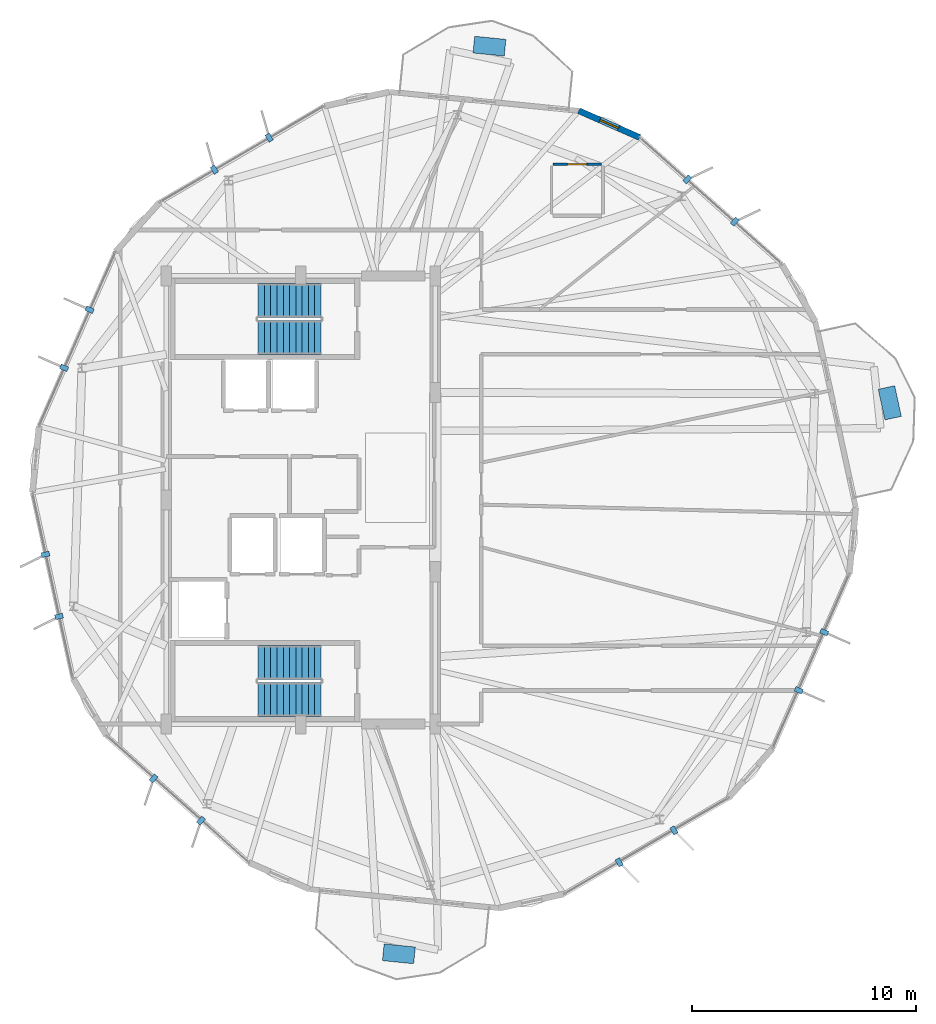
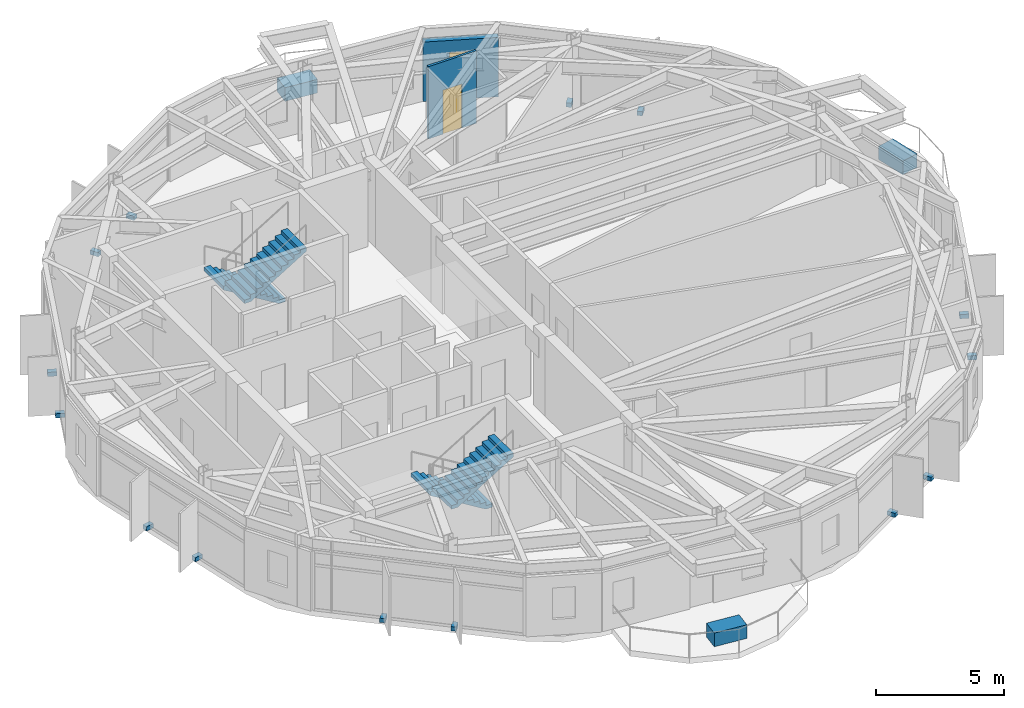
# One storey, part 22 of 25: 17 discrete accessories, 4 stair flights, 2 walls, 1 door, 1 window, 2 openings, 2 elements without a shape of their own.
"""IFC4 building model written with IfcOpenShell, lengths in metres."""

from ifc_helpers import new_model, si_unit, direction, frame, frame_2d, origin, origin_2d, place, context, subcontext, project, spatial, polyline, rectangle, outline, extrude, material, layer, layer_set, type_object, element, fill, aggregate, save


model = new_model("IFC4")

# Units and contexts
model_context = context("Model", 3, precision=1e-05, world=origin(), true_north=direction((0.0, 1.0)))
body_context = subcontext(model_context, "Body", "Model", "MODEL_VIEW")
ifc_project = project(units=[si_unit("LENGTHUNIT", "METRE"), si_unit("AREAUNIT", "SQUARE_METRE"), si_unit("VOLUMEUNIT", "CUBIC_METRE"), si_unit("PLANEANGLEUNIT", "RADIAN"), si_unit("MASSUNIT", "GRAM", prefix="KILO")], contexts=[model_context])

# Site, building, storey
site_placement = place(None, origin())
site = spatial("IfcSite", under=ifc_project, at=site_placement, CompositionType="ELEMENT")
building_placement = place(site_placement, origin())
building = spatial("IfcBuilding", under=site, at=building_placement, Name="Soratama Intermodal Tower", CompositionType="ELEMENT")
storey_placement = place(building_placement, frame((0.0, 0.0, 276.25)))
storey = spatial("IfcBuildingStorey", under=building, at=storey_placement, Name="L70", CompositionType="ELEMENT", Elevation=276.25)

# Wall, opening, window
ifc_material_1 = material(Name="Concrete f'c 42 MPa", Category="concrete")
ifc_layer_1 = layer(ifc_material_1, 0.27001953125)
ifc_layer_set_1 = layer_set([ifc_layer_1], Name="Concrete f'c 42 MPa")
wall_type_1 = type_object("IfcWallType", Name="EW-CRN-270", PredefinedType="SOLIDWALL", material=ifc_layer_set_1)
wall_1_placement = place(storey_placement, frame((53.72119140625, 41.177001953125, 0.0), z_axis=(0.0, 0.0, 1.0), x_axis=(-0.915675056673, 0.401919383193, 0.0)))
wall_1 = element("IfcWall", 1, at=wall_1_placement, inside=storey, type_object=wall_type_1, Name="L70 Corner Closure Wall 10", PredefinedType="SOLIDWALL", context=body_context, shape_type="SweptSolid", body=[
    extrude(rectangle(XDim=2.966796875, YDim=0.27001953125, at=frame_2d((1.4833984375, 0.0))), origin(), (0.0, 0.0, 1.0), 2.8291015625),
])
opening_1_placement = place(wall_1_placement, frame((1.033203125, 0.0, 0.75)))
opening_1 = element("IfcOpeningElement", 2, at=opening_1_placement, cuts=wall_1, Name="Opening WN-6", PredefinedType="OPENING", context=body_context, shape_type="SweptSolid", body=[
    extrude(rectangle(XDim=0.89990234375, YDim=1.5, at=frame_2d((0.449951171875, 0.75))), frame((0.0, 0.14501953125, 0.0), z_axis=(0.0, -1.0, 0.0), x_axis=(1.0, 0.0, 0.0)), (0.0, 0.0, 1.0), 0.2900390625),
])
ifc_material_2 = material(Name="Double-glazed aluminium window", Category="aluminium")
window_type = type_object("IfcWindowType", Name="WN-FAC-900", PartitioningType="SINGLE_PANEL", PredefinedType="WINDOW", material=ifc_material_2)
window_placement = place(opening_1_placement, origin())
window = element("IfcWindow", 3, at=window_placement, inside=storey, type_object=window_type, Name="L70 Corner Window 10", OverallHeight=1.5, OverallWidth=0.89990234375, PartitioningType="SINGLE_PANEL", PredefinedType="WINDOW", context=body_context, shape_type="SweptSolid", body=[
    extrude(rectangle(XDim=0.89990234375, YDim=1.5, at=frame_2d((0.449951171875, 0.75))), frame((0.0, 0.030029296875, 0.0), z_axis=(0.0, -1.0, 0.0), x_axis=(1.0, 0.0, 0.0)), (0.0, 0.0, 1.0), 0.06005859375),
])
fill(opening_1, window)

# Wall, opening, door
ifc_material_3 = material(Name="Fire-rated gypsum stud partition", Category="concrete")
ifc_layer_2 = layer(ifc_material_3, 0.110107421875)
ifc_layer_set_2 = layer_set([ifc_layer_2], Name="Fire-rated gypsum stud partition")
wall_type_2 = type_object("IfcWallType", Name="IW-PART-S110", PredefinedType="PARTITIONING", material=ifc_layer_set_2)
wall_2_placement = place(storey_placement, frame((52.012939453125, 39.98193359375, 0.0), z_axis=(0.0, 0.0, 1.0), x_axis=(-1.0, 0.0, 0.0)))
wall_2 = element("IfcWall", 4, at=wall_2_placement, inside=storey, type_object=wall_type_2, Name="L70 Partition W-L70-TP025", PredefinedType="PARTITIONING", context=body_context, shape_type="SweptSolid", body=[
    extrude(rectangle(XDim=2.159912109375, YDim=0.110107421875, at=frame_2d((1.080078125, 0.0))), origin(), (0.0, 0.0, 1.0), 3.449951171875),
])
opening_2_placement = place(wall_2_placement, frame((0.655029296875, 0.0, 0.0)))
opening_2 = element("IfcOpeningElement", 5, at=opening_2_placement, cuts=wall_2, Name="Opening ID-4", PredefinedType="OPENING", context=body_context, shape_type="SweptSolid", body=[
    extrude(rectangle(XDim=0.85009765625, YDim=2.10009765625, at=frame_2d((0.425048828125, 1.050048828125))), frame((0.0, 0.06494140625, 0.0), z_axis=(0.0, -1.0, 0.0), x_axis=(1.0, 0.0, 0.0)), (0.0, 0.0, 1.0), 0.130126953125),
])
ifc_material_4 = material(Name="Solid hardwood acoustic door", Category="wood")
door_type = type_object("IfcDoorType", Name="DR-BATH-850", OperationType="NOTDEFINED", PredefinedType="DOOR", material=ifc_material_4)
door_placement = place(opening_2_placement, origin())
door = element("IfcDoor", 6, at=door_placement, inside=storey, type_object=door_type, Name="L70 Door D-L70-TP012", OperationType="SINGLE_SWING_LEFT", OverallHeight=2.10009765625, OverallWidth=0.85009765625, PredefinedType="DOOR", context=body_context, shape_type="SweptSolid", body=[
    extrude(rectangle(XDim=0.85009765625, YDim=2.10009765625, at=frame_2d((0.425048828125, 1.050048828125))), frame((0.0, 0.02490234375, 0.0), z_axis=(0.0, -1.0, 0.0), x_axis=(1.0, 0.0, 0.0)), (0.0, 0.0, 1.0), 0.050048828125),
])
fill(opening_2, door)

# Stair, stair flights
ifc_material_5 = material(Name="Concrete f'c 42 MPa", Category="concrete")
stair_type = type_object("IfcStairType", Name="ST-CORE-DOGLEG", PredefinedType="HALF_TURN_STAIR", material=ifc_material_5)
stair_1_placement = place(storey_placement, origin())
stair_1 = element("IfcStair", 7, at=stair_1_placement, inside=storey, type_object=stair_type, Name="L70 ST-1", PredefinedType="HALF_TURN_STAIR")
ifc_material_6 = material(Name="Precast concrete f'c 40 MPa", Category="concrete")
ifc_layer_3 = layer(ifc_material_6, 0.199951171875)
ifc_layer_set_3 = layer_set([ifc_layer_3], Name="Precast concrete f'c 40 MPa")
stair_flight_type = type_object("IfcStairFlightType", Name="SF-FLIGHT-RC", PredefinedType="STRAIGHT", material=ifc_layer_set_3)
stair_flight_1_placement = place(storey_placement, frame((39.5, 17.75, 0.0), z_axis=(0.0, 0.0, 1.0), x_axis=(-1.0, 0.0, 0.0)))
stair_flight_1 = element("IfcStairFlight", 8, at=stair_flight_1_placement, type_object=stair_flight_type, Name="ST-1 flight 1", NumberOfRisers=11, NumberOfTreads=10, PredefinedType="STRAIGHT", RiserHeight=0.170454545, TreadLength=0.28, context=body_context, shape_type="SweptSolid", body=[
    extrude(outline(polyline([(0.0, 0.0), (0.0, 0.17041015625), (0.280029296875, 0.17041015625), (0.280029296875, 0.3408203125), (0.56005859375, 0.3408203125), (0.56005859375, 0.511474609375), (0.840087890625, 0.511474609375), (0.840087890625, 0.681884765625), (1.1201171875, 0.681884765625), (1.1201171875, 0.852294921875), (1.39990234375, 0.852294921875), (1.39990234375, 1.022705078125), (1.679931640625, 1.022705078125), (1.679931640625, 1.193115234375), (1.9599609375, 1.193115234375), (1.9599609375, 1.363525390625), (2.239990234375, 1.363525390625), (2.239990234375, 1.5341796875), (2.52001953125, 1.5341796875), (2.52001953125, 1.70458984375), (2.800048828125, 1.70458984375), (2.800048828125, 1.875), (2.800048828125, 1.529052734375), (0.288330078125, 0.0), (0.0, 0.0)])), frame((0.0, 0.75, 0.0), z_axis=(0.0, -1.0, 0.0), x_axis=(1.0, 0.0, 0.0)), (0.0, 0.0, 1.0), 1.5),
])
stair_flight_2_placement = place(storey_placement, frame((36.699951171875, 16.10009765625, 1.875), z_axis=(0.0, 0.0, 1.0), x_axis=(1.0, 0.0, 0.0)))
stair_flight_2 = element("IfcStairFlight", 9, at=stair_flight_2_placement, type_object=stair_flight_type, Name="ST-1 flight 2", NumberOfRisers=11, NumberOfTreads=10, PredefinedType="STRAIGHT", RiserHeight=0.170454545, TreadLength=0.28, context=body_context, shape_type="SweptSolid", body=[
    extrude(outline(polyline([(0.0, 0.0), (0.0, 0.17041015625), (0.280029296875, 0.17041015625), (0.280029296875, 0.3408203125), (0.56005859375, 0.3408203125), (0.56005859375, 0.511474609375), (0.840087890625, 0.511474609375), (0.840087890625, 0.681884765625), (1.1201171875, 0.681884765625), (1.1201171875, 0.852294921875), (1.39990234375, 0.852294921875), (1.39990234375, 1.022705078125), (1.679931640625, 1.022705078125), (1.679931640625, 1.193115234375), (1.9599609375, 1.193115234375), (1.9599609375, 1.363525390625), (2.239990234375, 1.363525390625), (2.239990234375, 1.5341796875), (2.52001953125, 1.5341796875), (2.52001953125, 1.70458984375), (2.800048828125, 1.70458984375), (2.800048828125, 1.875), (2.800048828125, 1.529052734375), (0.288330078125, 0.0), (0.0, 0.0)])), frame((0.0, 0.75, 0.0), z_axis=(0.0, -1.0, 0.0), x_axis=(1.0, 0.0, 0.0)), (0.0, 0.0, 1.0), 1.5),
])
aggregate(stair_1, [stair_flight_1, stair_flight_2])

stair_2_placement = place(storey_placement, origin())
stair_2 = element("IfcStair", 10, at=stair_2_placement, inside=storey, type_object=stair_type, Name="L70 ST-2", PredefinedType="HALF_TURN_STAIR")
stair_flight_3_placement = place(storey_placement, frame((39.5, 33.89990234375, 0.0), z_axis=(0.0, 0.0, 1.0), x_axis=(-1.0, 0.0, 0.0)))
stair_flight_3 = element("IfcStairFlight", 11, at=stair_flight_3_placement, type_object=stair_flight_type, Name="ST-2 flight 1", NumberOfRisers=11, NumberOfTreads=10, PredefinedType="STRAIGHT", RiserHeight=0.170454545, TreadLength=0.28, context=body_context, shape_type="SweptSolid", body=[
    extrude(outline(polyline([(0.0, 0.0), (0.0, 0.17041015625), (0.280029296875, 0.17041015625), (0.280029296875, 0.3408203125), (0.56005859375, 0.3408203125), (0.56005859375, 0.511474609375), (0.840087890625, 0.511474609375), (0.840087890625, 0.681884765625), (1.1201171875, 0.681884765625), (1.1201171875, 0.852294921875), (1.39990234375, 0.852294921875), (1.39990234375, 1.022705078125), (1.679931640625, 1.022705078125), (1.679931640625, 1.193115234375), (1.9599609375, 1.193115234375), (1.9599609375, 1.363525390625), (2.239990234375, 1.363525390625), (2.239990234375, 1.5341796875), (2.52001953125, 1.5341796875), (2.52001953125, 1.70458984375), (2.800048828125, 1.70458984375), (2.800048828125, 1.875), (2.800048828125, 1.529052734375), (0.288330078125, 0.0), (0.0, 0.0)])), frame((0.0, 0.75, 0.0), z_axis=(0.0, -1.0, 0.0), x_axis=(1.0, 0.0, 0.0)), (0.0, 0.0, 1.0), 1.5),
])
stair_flight_4_placement = place(storey_placement, frame((36.699951171875, 32.25, 1.875), z_axis=(0.0, 0.0, 1.0), x_axis=(1.0, 0.0, 0.0)))
stair_flight_4 = element("IfcStairFlight", 12, at=stair_flight_4_placement, type_object=stair_flight_type, Name="ST-2 flight 2", NumberOfRisers=11, NumberOfTreads=10, PredefinedType="STRAIGHT", RiserHeight=0.170454545, TreadLength=0.28, context=body_context, shape_type="SweptSolid", body=[
    extrude(outline(polyline([(0.0, 0.0), (0.0, 0.17041015625), (0.280029296875, 0.17041015625), (0.280029296875, 0.3408203125), (0.56005859375, 0.3408203125), (0.56005859375, 0.511474609375), (0.840087890625, 0.511474609375), (0.840087890625, 0.681884765625), (1.1201171875, 0.681884765625), (1.1201171875, 0.852294921875), (1.39990234375, 0.852294921875), (1.39990234375, 1.022705078125), (1.679931640625, 1.022705078125), (1.679931640625, 1.193115234375), (1.9599609375, 1.193115234375), (1.9599609375, 1.363525390625), (2.239990234375, 1.363525390625), (2.239990234375, 1.5341796875), (2.52001953125, 1.5341796875), (2.52001953125, 1.70458984375), (2.800048828125, 1.70458984375), (2.800048828125, 1.875), (2.800048828125, 1.529052734375), (0.288330078125, 0.0), (0.0, 0.0)])), frame((0.0, 0.75, 0.0), z_axis=(0.0, -1.0, 0.0), x_axis=(1.0, 0.0, 0.0)), (0.0, 0.0, 1.0), 1.5),
])
aggregate(stair_2, [stair_flight_3, stair_flight_4])

# Discrete accessories
ifc_material_7 = material(Name="Structural steel ASTM A992 Grade 50", Category="steel")
discrete_accessory_type_1 = type_object("IfcDiscreteAccessoryType", Name="AC-FIN-BRACKET", PredefinedType="BRACKET", material=ifc_material_7)
for number, where, z_axis, x_axis, name in (
    (13, (37.192138671875, 41.16943359375, -0.080078125), (0.0, 0.0, 1.0), (-0.504527623815, 0.863395550607, 0.0), "L70 Fin Bracket F02-1"),
    (14, (34.745849609375, 39.739990234375, -0.080078125), (0.0, 0.0, 1.0), (-0.504527623815, 0.863395550607, 0.0), "L70 Fin Bracket F02-2"),
    (15, (29.17919921875, 33.491943359375, -0.080078125), (0.0, 0.0, 1.0), (-0.91566259334, 0.401947776656, 0.0), "L70 Fin Bracket F03-1"),
    (16, (28.040283203125, 30.897705078125, -0.080078125), (0.0, 0.0, 1.0), (-0.91566259334, 0.401947776656, 0.0), "L70 Fin Bracket F03-2"),
    (17, (27.209228515625, 22.57080078125, -0.080078125), (0.0, 0.0, 1.0), (-0.977045574435, -0.213030386275, 0.0), "L70 Fin Bracket F04-1"),
    (18, (27.812744140625, 19.802734375, -0.080078125), (0.0, 0.0, 1.0), (-0.977045574435, -0.213030386275, 0.0), "L70 Fin Bracket F04-2"),
    (19, (32.03466796875, 12.57763671875, -0.080078125), (0.0, 0.0, 1.0), (-0.665230354654, -0.746638182285, 0.0), "L70 Fin Bracket F05-1"),
    (20, (34.150146484375, 10.69287109375, -0.080078125), (0.0, 0.0, 1.0), (-0.665230354654, -0.746638182285, 0.0), "L70 Fin Bracket F05-2"),
    (21, (52.807861328125, 8.83056640625, -0.080078125), (0.0, 0.0, 1.0), (0.504527623815, -0.863395550607, 0.0), "L70 Fin Bracket F07-1"),
    (22, (55.254150390625, 10.260009765625, -0.080078125), (0.0, 0.0, 1.0), (0.504527623815, -0.863395550607, 0.0), "L70 Fin Bracket F07-2"),
    (23, (60.82080078125, 16.508056640625, -0.080078125), (0.0, 0.0, 1.0), (0.91566259334, -0.401947776656, 0.0), "L70 Fin Bracket F08-1"),
    (24, (61.959716796875, 19.102294921875, -0.080078125), (0.0, 0.0, 1.0), (0.91566259334, -0.401947776656, 0.0), "L70 Fin Bracket F08-2"),
    (25, (57.96533203125, 37.42236328125, -0.080078125), (0.0, 0.0, 1.0), (0.665230354654, 0.746638182285, 0.0), "L70 Fin Bracket F10-1"),
    (26, (55.849853515625, 39.30712890625, -0.080078125), (0.0, 0.0, 1.0), (0.665230354654, 0.746638182285, 0.0), "L70 Fin Bracket F10-2"),
):
    element("IfcDiscreteAccessory", number, at=place(storey_placement, frame(where, z_axis=z_axis, x_axis=x_axis)), inside=storey, type_object=discrete_accessory_type_1, Name=name, PredefinedType="BRACKET", context=body_context, shape_type="SweptSolid", body=[
        extrude(rectangle(XDim=0.360107421875, YDim=0.219970703125, at=origin_2d()), origin(), (0.0, 0.0, 1.0), 0.199951171875),
    ])
ifc_material_8 = material(Name="Precast concrete f'c 40 MPa", Category="concrete")
discrete_accessory_type_2 = type_object("IfcDiscreteAccessoryType", Name="AC-PLANTER-TREE", PredefinedType="USERDEFINED", material=ifc_material_8)
for number, where, z_axis, x_axis, name in (
    (27, (64.8828125, 29.335205078125, 0.0), (0.0, 0.0, 1.0), (0.977045574435, 0.213030386275, 0.0), "L70 Tree Planter 1"),
    (28, (47.02099609375, 45.249267578125, 0.0), (0.0, 0.0, 1.0), (0.099319749744, 0.995055569961, 0.0), "L70 Tree Planter 2"),
    (29, (42.97900390625, 4.750732421875, 0.0), (0.0, 0.0, 1.0), (-0.099319749744, -0.995055569961, 0.0), "L70 Tree Planter 3"),
):
    element("IfcDiscreteAccessory", number, at=place(storey_placement, frame(where, z_axis=z_axis, x_axis=x_axis)), inside=storey, type_object=discrete_accessory_type_2, Name=name, ObjectType="PLANTER", PredefinedType="USERDEFINED", context=body_context, shape_type="SweptSolid", body=[
        extrude(rectangle(XDim=0.75, YDim=1.39990234375, at=origin_2d()), origin(), (0.0, 0.0, 1.0), 0.64990234375),
    ])

save(model, "model.ifc")
